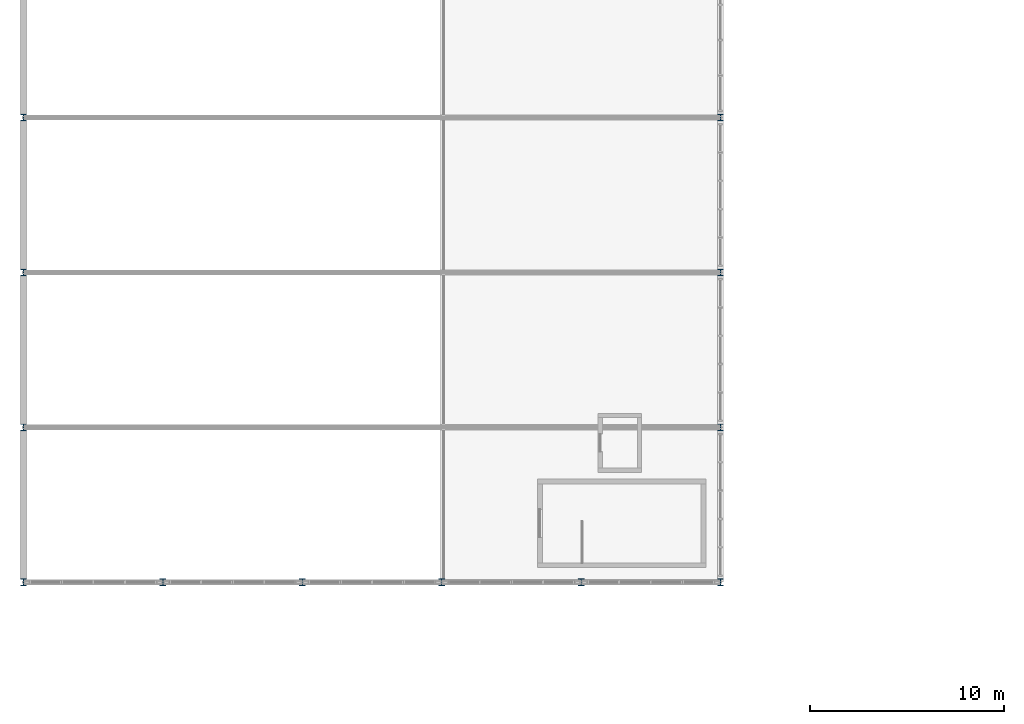
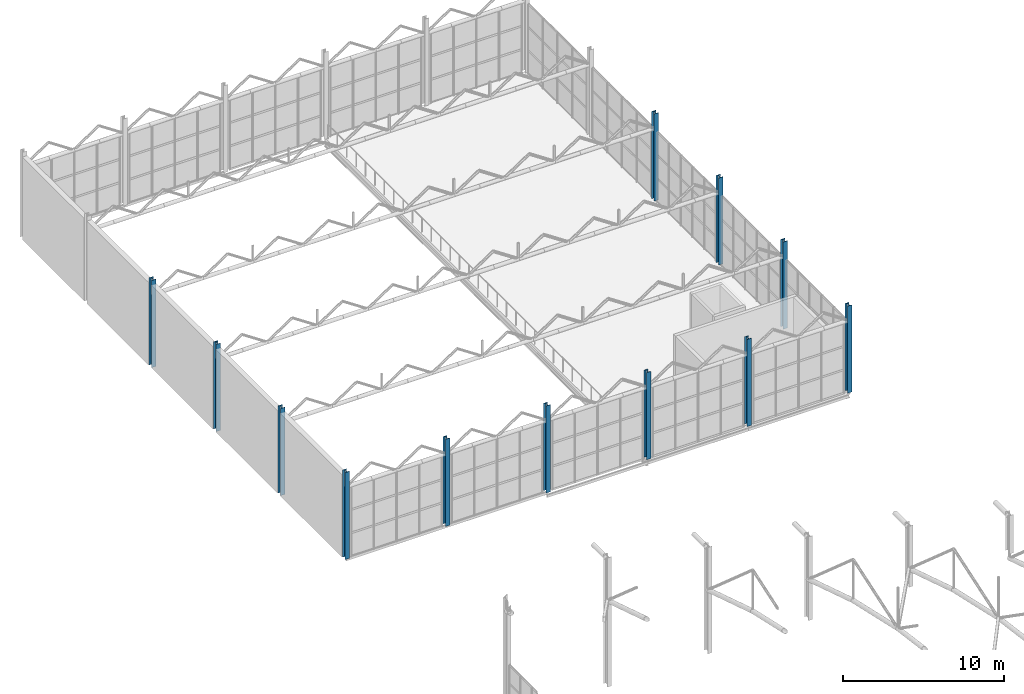
# One storey, part 9 of 153: 12 columns.
"""IFC4 building model written with IfcOpenShell, lengths in metres."""

from ifc_helpers import new_model, si_unit, derived_unit, direction, frame, origin, origin_2d, place, context, subcontext, project, spatial, i_section, extrude, material, material_profile, profile_set, type_object, element, save


model = new_model("IFC4")

# Units and contexts
model_context = context("Model", 3, precision=1e-05, world=origin(), true_north=direction((0.0, 1.0)))
body_context = subcontext(model_context, "Body", "Model", "MODEL_VIEW")
ifc_project = project(units=[si_unit("LENGTHUNIT", "METRE"), si_unit("AREAUNIT", "SQUARE_METRE"), si_unit("VOLUMEUNIT", "CUBIC_METRE"), si_unit("PLANEANGLEUNIT", "RADIAN"), si_unit("MASSUNIT", "GRAM", prefix="KILO"), derived_unit("THERMALTRANSMITTANCEUNIT", [(si_unit("POWERUNIT", "WATT"), 1), (si_unit("LENGTHUNIT", "METRE"), -2), (si_unit("THERMODYNAMICTEMPERATUREUNIT", "KELVIN"), -1)])], contexts=[model_context])

# Site, building, storey
site_placement = place(None, origin())
site = spatial("IfcSite", under=ifc_project, at=site_placement, CompositionType="ELEMENT")
building_placement = place(site_placement, origin())
building = spatial("IfcBuilding", under=site, at=building_placement, Name="Keldorne Ridge Multi-Sports Centre", CompositionType="ELEMENT")
storey_placement = place(building_placement, frame((0.0, 0.0, 9.60009765625)))
storey = spatial("IfcBuildingStorey", under=building, at=storey_placement, Name="L02", CompositionType="ELEMENT", Elevation=9.60009765625)

# Columns
ifc_material = material(Name="Steel S355", Category="steel")
ifc_material_profile = material_profile(ifc_material, i_section(OverallWidth=0.300048828125, OverallDepth=0.340087890625, WebThickness=0.011962890625, FlangeThickness=0.021484375, FilletRadius=0.027099609375, at=origin_2d()), Name="HEB 340")
ifc_profile_set = profile_set([ifc_material_profile], Name="Steel S355")
column_type = type_object("IfcColumnType", Name="COL-C-11", PredefinedType="COLUMN", material=ifc_profile_set)
for number, where, z_axis, x_axis, name in (
    (1, (6.0, 74.0, 0.0), (0.0, 0.0, 1.0), (1.0, 0.0, 0.0), "Structural column V3-PER-S-01 on L02"),
    (2, (13.199951171875, 74.0, 0.0), (0.0, 0.0, 1.0), (1.0, 0.0, 0.0), "Structural column V3-PER-S-02 on L02"),
    (3, (20.39990234375, 74.0, 0.0), (0.0, 0.0, 1.0), (1.0, 0.0, 0.0), "Structural column V3-PER-S-03 on L02"),
    (4, (27.60009765625, 74.0, 0.0), (0.0, 0.0, 1.0), (1.0, 0.0, 0.0), "Structural column V3-PER-S-04 on L02"),
    (5, (34.800048828125, 74.0, 0.0), (0.0, 0.0, 1.0), (1.0, 0.0, 0.0), "Structural column V3-PER-S-05 on L02"),
    (6, (42.0, 74.0, 0.0), (0.0, 0.0, 1.0), (1.0, 0.0, 0.0), "Structural column V3-PER-S-06 on L02"),
    (7, (6.0, 82.0, 0.0), (0.0, 0.0, 1.0), (1.0, 0.0, 0.0), "Structural column V3-SIDE-W-02 on L02"),
    (8, (42.0, 82.0, 0.0), (0.0, 0.0, 1.0), (1.0, 0.0, 0.0), "Structural column V3-SIDE-E-02 on L02"),
    (9, (6.0, 90.0, 0.0), (0.0, 0.0, 1.0), (1.0, 0.0, 0.0), "Structural column V3-SIDE-W-03 on L02"),
    (10, (42.0, 90.0, 0.0), (0.0, 0.0, 1.0), (1.0, 0.0, 0.0), "Structural column V3-SIDE-E-03 on L02"),
    (11, (6.0, 98.0, 0.0), (0.0, 0.0, 1.0), (1.0, 0.0, 0.0), "Structural column V3-SIDE-W-04 on L02"),
    (12, (42.0, 98.0, 0.0), (0.0, 0.0, 1.0), (1.0, 0.0, 0.0), "Structural column V3-SIDE-E-04 on L02"),
):
    element("IfcColumn", number, at=place(storey_placement, frame(where, z_axis=z_axis, x_axis=x_axis)), inside=storey, type_object=column_type, Name=name, PredefinedType="COLUMN", context=body_context, shape_type="SweptSolid", body=[
        extrude(i_section(OverallWidth=0.300048828125, OverallDepth=0.340087890625, WebThickness=0.011962890625, FlangeThickness=0.021484375, FilletRadius=0.027099609375, at=origin_2d()), origin(), (0.0, 0.0, 1.0), 6.599853515625),
    ])

save(model, "model.ifc")
